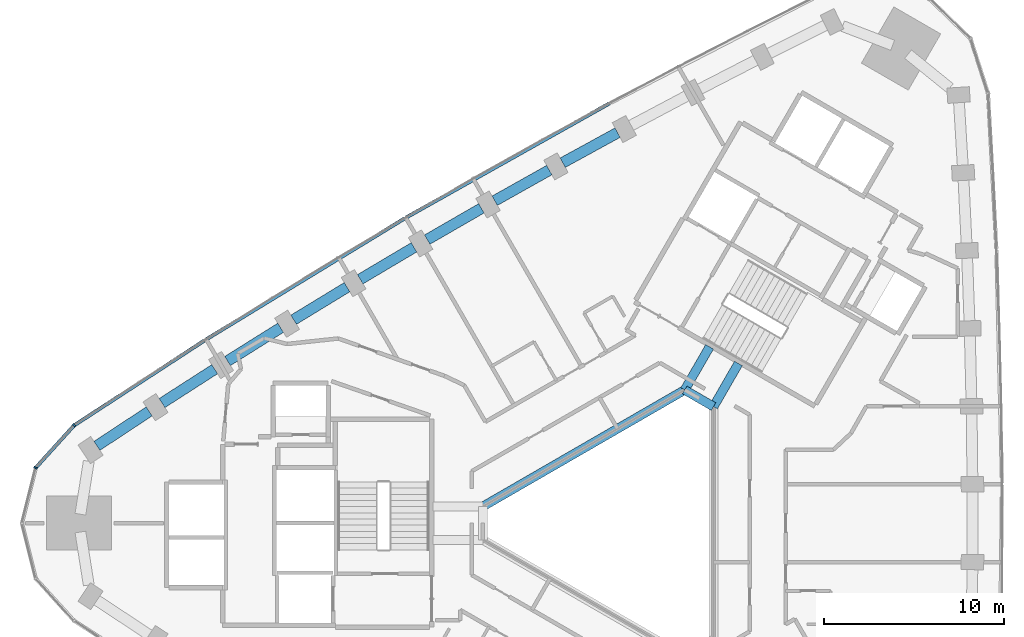
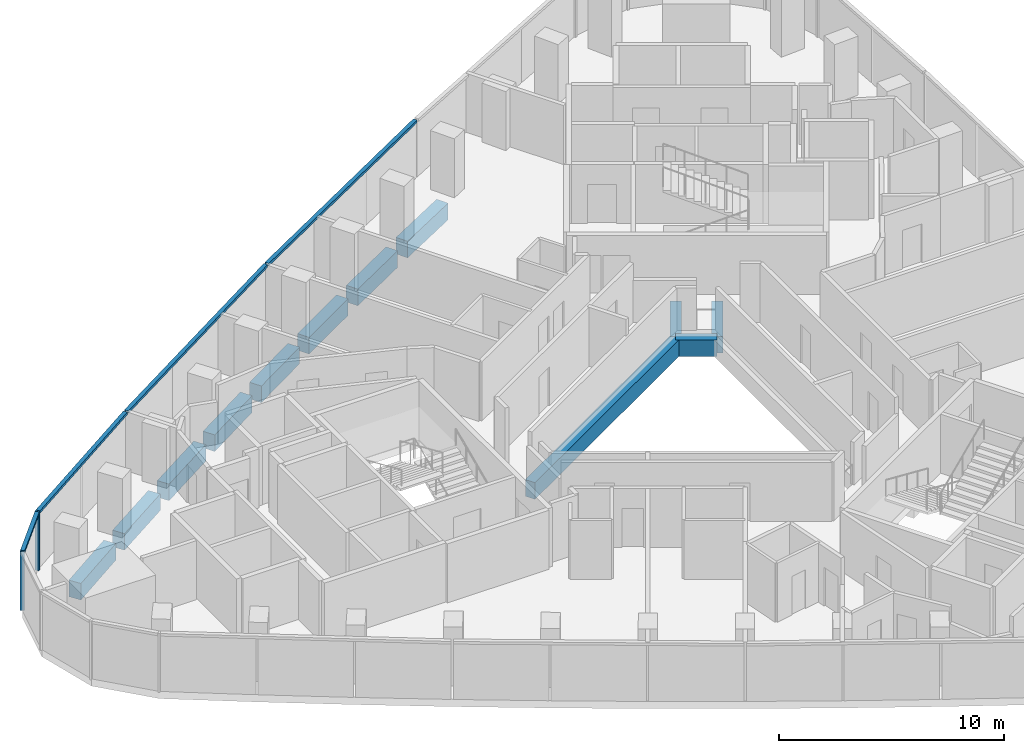
# One storey, part 4 of 13: 12 beams, 6 members, 1 element without a shape of its own.
"""IFC4 building model written with IfcOpenShell, lengths in metres."""

from ifc_helpers import new_model, si_unit, direction, frame, origin, origin_2d, place, context, subcontext, project, spatial, rectangle, extrude, material, material_profile, profile_set, type_object, element, aggregate, save


model = new_model("IFC4")

# Units and contexts
model_context = context("Model", 3, precision=1e-05, world=origin(), true_north=direction((0.0, 1.0)))
body_context = subcontext(model_context, "Body", "Model", "MODEL_VIEW")
ifc_project = project(units=[si_unit("LENGTHUNIT", "METRE"), si_unit("AREAUNIT", "SQUARE_METRE"), si_unit("VOLUMEUNIT", "CUBIC_METRE"), si_unit("PLANEANGLEUNIT", "RADIAN"), si_unit("MASSUNIT", "GRAM", prefix="KILO")], contexts=[model_context])

# Site, building, storey
site_placement = place(None, origin())
site = spatial("IfcSite", under=ifc_project, at=site_placement, CompositionType="ELEMENT")
building_placement = place(site_placement, origin())
building = spatial("IfcBuilding", under=site, at=building_placement, Name="Tamra Quay Hotel Tower", CompositionType="ELEMENT")
storey_placement = place(building_placement, frame((0.0, 0.0, 132.39990234375)))
storey = spatial("IfcBuildingStorey", under=building, at=storey_placement, Name="L32", CompositionType="ELEMENT", Elevation=132.39990234375)

# Beams
ifc_material_1 = material(Name="Concrete M60", Category="concrete")
ifc_material_profile_1 = material_profile(ifc_material_1, rectangle(XDim=0.5, YDim=0.89990234375, at=origin_2d()), Name="ATRIUM EDGE BEAM RC 500x900")
ifc_profile_set_1 = profile_set([ifc_material_profile_1], Name="Concrete M60")
beam_type_1 = type_object("IfcBeamType", Name="ATRIUM EDGE BEAM RC 500x900", PredefinedType="BEAM", material=ifc_profile_set_1)
beam_1_placement = place(storey_placement, frame((-8.0, 0.923828125, -0.849853515625), z_axis=(0.866024942741, 0.500000798549, 0.0), x_axis=(-0.500000798549, 0.866024942741, 0.0)))
element("IfcBeam", 1, at=beam_1_placement, inside=storey, type_object=beam_type_1, Name="BM-AB4-L32", PredefinedType="BEAM", context=body_context, shape_type="SweptSolid", body=[
    extrude(rectangle(XDim=0.5, YDim=0.89990234375, at=origin_2d()), origin(), (0.0, 0.0, 1.0), 12.9326171875),
])
beam_2_placement = place(storey_placement, frame((3.199951171875, 7.39013671875, -0.849853515625), z_axis=(0.86602275259, -0.500004591975, 0.0), x_axis=(0.500004591975, 0.86602275259, 0.0)))
element("IfcBeam", 2, at=beam_2_placement, inside=storey, type_object=beam_type_1, Name="BM-AB5-L32", PredefinedType="BEAM", context=body_context, shape_type="SweptSolid", body=[
    extrude(rectangle(XDim=0.5, YDim=0.89990234375, at=origin_2d()), origin(), (0.0, 0.0, 1.0), 1.84765625),
])
ifc_material_profile_2 = material_profile(ifc_material_1, rectangle(XDim=0.5, YDim=0.89990234375, at=origin_2d()), Name="ATRIUM TIE BEAM RC 500x900")
ifc_profile_set_2 = profile_set([ifc_material_profile_2], Name="Concrete M60")
beam_type_2 = type_object("IfcBeamType", Name="ATRIUM TIE BEAM RC 500x900", PredefinedType="BEAM", material=ifc_profile_set_2)
for number, where, z_axis, x_axis, name in (
    (3, (4.800048828125, 6.46630859375, -0.849853515625), (0.500008091576, 0.86602073206, 0.0), (-0.86602073206, 0.500008091576, 0.0), "BM-TIE-0-L32"),
    (4, (3.199951171875, 7.39013671875, -0.849853515625), (0.500008091576, 0.86602073206, 0.0), (-0.86602073206, 0.500008091576, 0.0), "BM-TIE-5-L32"),
):
    element("IfcBeam", number, at=place(storey_placement, frame(where, z_axis=z_axis, x_axis=x_axis)), inside=storey, type_object=beam_type_2, Name=name, PredefinedType="BEAM", context=body_context, shape_type="SweptSolid", body=[
        extrude(rectangle(XDim=0.5, YDim=0.89990234375, at=origin_2d()), origin(), (0.0, 0.0, 1.0), 2.76220703125),
    ])

# Curtain wall, members
ifc_material_2 = material(Name="Aluminium 6063 anodised dark grey", Category="aluminium")
curtain_wall_type = type_object("IfcCurtainWallType", Name="CW2 CURTAIN WALL", PredefinedType="NOTDEFINED", material=ifc_material_2)
curtain_wall_placement = place(storey_placement, origin())
curtain_wall = element("IfcCurtainWall", 5, at=curtain_wall_placement, inside=storey, type_object=curtain_wall_type, Name="CW2 north-west face L32", PredefinedType="NOTDEFINED")
ifc_material_profile_3 = material_profile(ifc_material_2, rectangle(XDim=0.199951171875, YDim=0.10009765625, at=origin_2d()), Name="MULLION 100X200")
ifc_profile_set_3 = profile_set([ifc_material_profile_3], Name="Aluminium 6063 anodised dark grey")
member_type_1 = type_object("IfcMemberType", Name="MULLION CW2 Z3", PredefinedType="MULLION", material=ifc_profile_set_3)
member_1_placement = place(storey_placement, frame((-30.688720703125, 5.424560546875, 0.0), z_axis=(0.0, 0.0, 1.0), x_axis=(-0.650989312843, 0.759086895266, 0.0)))
member_1 = element("IfcMember", 6, at=member_1_placement, type_object=member_type_1, Name="CW2 mullion L32.NW.12", PredefinedType="MULLION", context=body_context, shape_type="SweptSolid", body=[
    extrude(rectangle(XDim=0.199951171875, YDim=0.10009765625, at=origin_2d()), origin(), (0.0, 0.0, 1.0), 3.2001953125),
])
member_2_placement = place(storey_placement, frame((-32.81787109375, 3.075439453125, 0.0), z_axis=(0.0, 0.0, 1.0), x_axis=(-0.881925145425, 0.47138947577, 0.0)))
member_2 = element("IfcMember", 7, at=member_2_placement, type_object=member_type_1, Name="CW2 mullion L32.NW.13", PredefinedType="MULLION", context=body_context, shape_type="SweptSolid", body=[
    extrude(rectangle(XDim=0.199951171875, YDim=0.10009765625, at=origin_2d()), origin(), (0.0, 0.0, 1.0), 3.2001953125),
])

# Beams
ifc_material_profile_4 = material_profile(ifc_material_1, rectangle(XDim=0.60009765625, YDim=0.89990234375, at=origin_2d()), Name="SPANDREL BEAM RC 600x900")
ifc_profile_set_4 = profile_set([ifc_material_profile_4], Name="Concrete M60")
beam_type_3 = type_object("IfcBeamType", Name="SPANDREL BEAM RC 600x900", PredefinedType="SPANDREL", material=ifc_profile_set_4)
beam_3_placement = place(storey_placement, frame((-0.523681640625, 21.6669921875, -0.849853515625), z_axis=(-0.877731617539, -0.479152593202, 0.0), x_axis=(0.479152593202, -0.877731617539, 0.0)))
element("IfcBeam", 8, at=beam_3_placement, inside=storey, type_object=beam_type_3, Name="BM-SP3-016-L32", PredefinedType="SPANDREL", context=body_context, shape_type="SweptSolid", body=[
    extrude(rectangle(XDim=0.60009765625, YDim=0.89990234375, at=origin_2d()), origin(), (0.0, 0.0, 1.0), 3.472412109375),
])
beam_4_placement = place(storey_placement, frame((-4.315185546875, 19.59130859375, -0.849853515625), z_axis=(-0.871956406858, -0.489583521516, 0.0), x_axis=(0.489583521516, -0.871956406858, 0.0)))
element("IfcBeam", 9, at=beam_4_placement, inside=storey, type_object=beam_type_3, Name="BM-SP3-017-L32", PredefinedType="SPANDREL", context=body_context, shape_type="SweptSolid", body=[
    extrude(rectangle(XDim=0.60009765625, YDim=0.89990234375, at=origin_2d()), origin(), (0.0, 0.0, 1.0), 3.47265625),
])
beam_5_placement = place(storey_placement, frame((-8.081787109375, 17.470458984375, -0.849853515625), z_axis=(-0.866032201241, -0.499988226275, 0.0), x_axis=(0.499988226275, -0.866032201241, 0.0)))
element("IfcBeam", 10, at=beam_5_placement, inside=storey, type_object=beam_type_3, Name="BM-SP3-018-L32", PredefinedType="SPANDREL", context=body_context, shape_type="SweptSolid", body=[
    extrude(rectangle(XDim=0.60009765625, YDim=0.89990234375, at=origin_2d()), origin(), (0.0, 0.0, 1.0), 3.47216796875),
])
beam_6_placement = place(storey_placement, frame((-11.822509765625, 15.304931640625, -0.849853515625), z_axis=(-0.859988767784, -0.510312962098, 0.0), x_axis=(0.510312962098, -0.859988767784, 0.0)))
element("IfcBeam", 11, at=beam_6_placement, inside=storey, type_object=beam_type_3, Name="BM-SP3-019-L32", PredefinedType="SPANDREL", context=body_context, shape_type="SweptSolid", body=[
    extrude(rectangle(XDim=0.60009765625, YDim=0.89990234375, at=origin_2d()), origin(), (0.0, 0.0, 1.0), 3.472900390625),
])
for number, where, z_axis, x_axis, name in (
    (12, (-15.53759765625, 13.094482421875, -0.849853515625), (-0.853835813207, -0.520542413339, 0.0), (0.520542413339, -0.853835813207, 0.0), "BM-SP3-020-L32"),
    (13, (-19.225341796875, 10.840087890625, -0.849853515625), (-0.847547681474, -0.530719255, 0.0), (0.530719255, -0.847547681474, 0.0), "BM-SP3-021-L32"),
):
    element("IfcBeam", number, at=place(storey_placement, frame(where, z_axis=z_axis, x_axis=x_axis)), inside=storey, type_object=beam_type_3, Name=name, PredefinedType="SPANDREL", context=body_context, shape_type="SweptSolid", body=[
        extrude(rectangle(XDim=0.60009765625, YDim=0.89990234375, at=origin_2d()), origin(), (0.0, 0.0, 1.0), 3.47216796875),
    ])
beam_7_placement = place(storey_placement, frame((-22.885986328125, 8.5419921875, -0.849853515625), z_axis=(-0.84116020305, -0.540786013878, 0.0), x_axis=(0.540786013878, -0.84116020305, 0.0)))
element("IfcBeam", 14, at=beam_7_placement, inside=storey, type_object=beam_type_3, Name="BM-SP3-022-L32", PredefinedType="SPANDREL", context=body_context, shape_type="SweptSolid", body=[
    extrude(rectangle(XDim=0.60009765625, YDim=0.89990234375, at=origin_2d()), origin(), (0.0, 0.0, 1.0), 3.47314453125),
])
beam_8_placement = place(storey_placement, frame((-26.51953125, 6.199951171875, -0.849853515625), z_axis=(-0.834690851507, -0.55071878705, 0.0), x_axis=(0.55071878705, -0.834690851507, 0.0)))
element("IfcBeam", 15, at=beam_8_placement, inside=storey, type_object=beam_type_3, Name="BM-SP3-023-L32", PredefinedType="SPANDREL", context=body_context, shape_type="SweptSolid", body=[
    extrude(rectangle(XDim=0.60009765625, YDim=0.89990234375, at=origin_2d()), origin(), (0.0, 0.0, 1.0), 3.472412109375),
])

# Member
ifc_material_profile_5 = material_profile(ifc_material_2, rectangle(XDim=0.199951171875, YDim=0.139892578125, at=origin_2d()), Name="TRANSOM 200X140")
ifc_profile_set_5 = profile_set([ifc_material_profile_5], Name="Aluminium 6063 anodised dark grey")
member_type_2 = type_object("IfcMemberType", Name="TRANSOM CW2 Z3", PredefinedType="USERDEFINED", material=ifc_profile_set_5)
member_3_placement = place(storey_placement, frame((-0.97607421875, 23.298828125, 3.130126953125), z_axis=(-0.871933427446, -0.48962444598, 0.0), x_axis=(0.48962444598, -0.871933427446, 0.0)))
member_3 = element("IfcMember", 16, at=member_3_placement, type_object=member_type_2, Name="CW2 transom L32.NW.4", ObjectType="TRANSOM", PredefinedType="USERDEFINED", context=body_context, shape_type="SweptSolid", body=[
    extrude(rectangle(XDim=0.199951171875, YDim=0.139892578125, at=origin_2d()), origin(), (0.0, 0.0, 1.0), 12.926513671875),
])

member_4_placement = place(storey_placement, frame((-12.333251953125, 16.919189453125, 3.130126953125), z_axis=(-0.853831802217, -0.520548992433, 0.0), x_axis=(0.520548992433, -0.853831802217, 0.0)))
member_4 = element("IfcMember", 17, at=member_4_placement, type_object=member_type_2, Name="CW2 transom L32.NW.7", ObjectType="TRANSOM", PredefinedType="USERDEFINED", context=body_context, shape_type="SweptSolid", body=[
    extrude(rectangle(XDim=0.199951171875, YDim=0.139892578125, at=origin_2d()), origin(), (0.0, 0.0, 1.0), 12.92626953125),
])

member_5_placement = place(storey_placement, frame((-23.45458984375, 10.13671875, 3.130126953125), z_axis=(-0.837931839727, -0.545774891298, 0.0), x_axis=(0.545774891298, -0.837931839727, 0.0)))
member_5 = element("IfcMember", 18, at=member_5_placement, type_object=member_type_2, Name="CW2 transom L32.NW.10", ObjectType="TRANSOM", PredefinedType="USERDEFINED", context=body_context, shape_type="SweptSolid", body=[
    extrude(rectangle(XDim=0.199951171875, YDim=0.139892578125, at=origin_2d()), origin(), (0.0, 0.0, 1.0), 8.583740234375),
])

member_6_placement = place(storey_placement, frame((-30.722412109375, 5.387451171875, 3.130126953125), z_axis=(-0.671548073699, -0.740960987307, 0.0), x_axis=(0.740960987307, -0.671548073699, 0.0)))
member_6 = element("IfcMember", 19, at=member_6_placement, type_object=member_type_2, Name="CW2 transom L32.NW.12", ObjectType="TRANSOM", PredefinedType="USERDEFINED", context=body_context, shape_type="SweptSolid", body=[
    extrude(rectangle(XDim=0.199951171875, YDim=0.139892578125, at=origin_2d()), origin(), (0.0, 0.0, 1.0), 3.070556640625),
])

aggregate(curtain_wall, [member_3, member_4, member_5, member_1, member_6, member_2])

save(model, "model.ifc")
